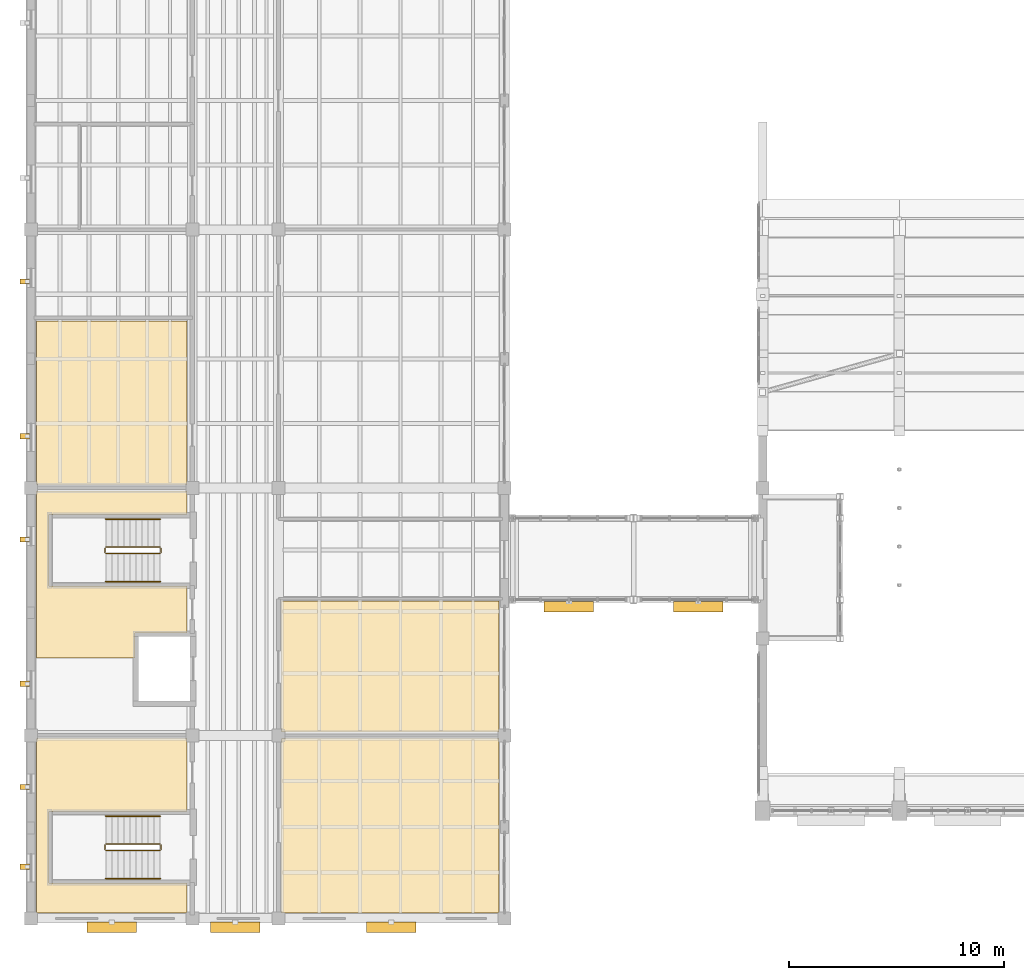
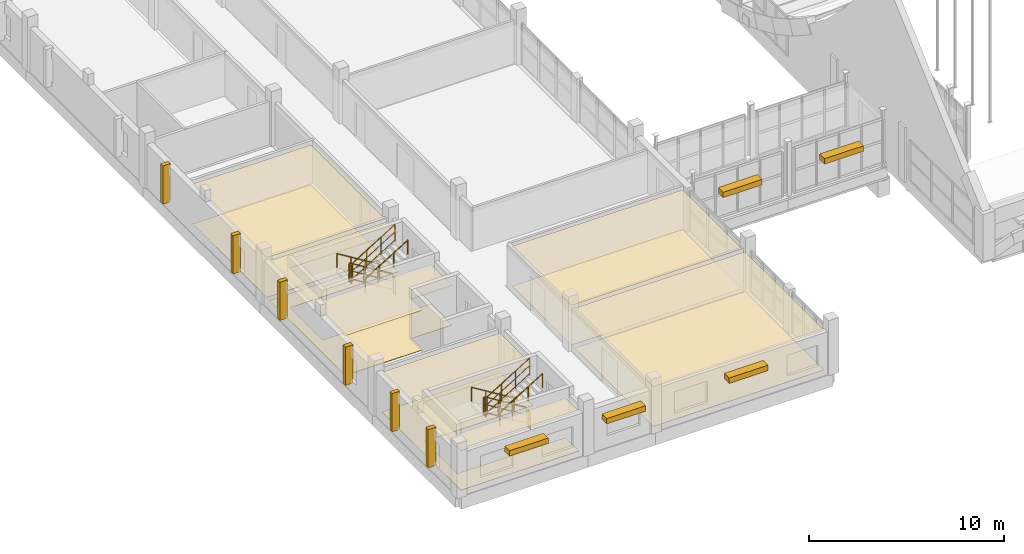
# One storey, part 72 of 77: 12 railings, 11 shading devices, 10 coverings.
"""IFC4 building model written with IfcOpenShell, lengths in metres."""

import ifcopenshell
import ifcopenshell.guid

model = None  # the IFC model being written
_history = None  # IfcOwnerHistory: only IFC2X3 demands one
_inside = {}  # id of a spatial element -> (the spatial element, [elements in it])
_under = {}  # id of a project, library or spatial element -> (it, [spatial elements below it])
_declared = {}  # id of a project -> (the project, [libraries it declares])
_typed = {}  # id of a type object -> (the type object, [elements of that type])
_made_of = {}  # id of a material, layer set ... -> (it, [elements and type objects made of it])


def new_model(schema):
    """Start an empty IFC model of exactly this schema.

    Asked for "IFC4X3", IfcOpenShell would pick the latest addendum, in which some entities
    have other attributes; the version numbers below select the first issue.
    IFC2X3 requires an IfcOwnerHistory on every rooted entity: one is made here for all.
    """
    global model, _history
    if schema == "IFC4X3":
        model = ifcopenshell.file(schema_version=(4, 3, 0, 0))
    else:
        model = ifcopenshell.file(schema=schema)
    _inside.clear()
    _under.clear()
    _declared.clear()
    _typed.clear()
    _made_of.clear()
    _history = None
    if model.schema == "IFC2X3":
        org = make("IfcOrganization", Name="unknown")
        user = make(
            "IfcPersonAndOrganization",
            ThePerson=make("IfcPerson", FamilyName="unknown"),
            TheOrganization=org,
        )
        app = make(
            "IfcApplication",
            ApplicationDeveloper=org,
            Version="unknown",
            ApplicationFullName="unknown",
            ApplicationIdentifier="unknown",
        )
        _history = make(
            "IfcOwnerHistory",
            OwningUser=user,
            OwningApplication=app,
            ChangeAction="ADDED",
            CreationDate=0,
        )
    return model


def make(cls, **values):
    """One entity of the class cls with the attributes given. An attribute that is None is left unset."""
    return model.create_entity(
        cls, **{name: value for name, value in values.items() if value is not None}
    )


def rooted(cls, **values):
    """An entity with a GlobalId (a new one), such as an element, a storey or a relation."""
    return make(cls, GlobalId=ifcopenshell.guid.new(), OwnerHistory=_history, **values)


def si_unit(unit_type, name, prefix=None):
    """IfcSIUnit, for example si_unit("LENGTHUNIT", "METRE", prefix="MILLI")."""
    return make("IfcSIUnit", UnitType=unit_type, Prefix=prefix, Name=name)


def assignment(units):
    """IfcUnitAssignment: the units of a project."""
    return None if units is None else make("IfcUnitAssignment", Units=units)


def point(xyz):
    """IfcCartesianPoint."""
    return None if xyz is None else make("IfcCartesianPoint", Coordinates=xyz)


def direction(xyz):
    """IfcDirection."""
    return None if xyz is None else make("IfcDirection", DirectionRatios=xyz)


def frame(location, z_axis=None, x_axis=None):
    """IfcAxis2Placement3D, a coordinate frame: its origin and axes. An axis left out is left unset."""
    return make(
        "IfcAxis2Placement3D",
        Location=point(location),
        Axis=direction(z_axis),
        RefDirection=direction(x_axis),
    )


def frame_2d(location, x_axis=None):
    """IfcAxis2Placement2D, a coordinate frame in the plane: its origin and x axis."""
    return make(
        "IfcAxis2Placement2D", Location=point(location), RefDirection=direction(x_axis)
    )


def origin():
    """The frame at (0, 0, 0) with its axes left unset."""
    return frame((0.0, 0.0, 0.0))


def origin_2d():
    """The frame at (0, 0) in the plane with its x axis left unset."""
    return frame_2d((0.0, 0.0))


def place(relative_to, where):
    """IfcLocalPlacement: puts the frame where relative to a parent placement (None: the world)."""
    return make(
        "IfcLocalPlacement", PlacementRelTo=relative_to, RelativePlacement=where
    )


def context(
    kind, dimensions, precision=None, world=None, true_north=None, identifier=None
):
    """IfcGeometricRepresentationContext, for example the 3D "Model" context."""
    return make(
        "IfcGeometricRepresentationContext",
        ContextIdentifier=identifier,
        ContextType=kind,
        CoordinateSpaceDimension=dimensions,
        Precision=precision,
        WorldCoordinateSystem=world,
        TrueNorth=true_north,
    )


def subcontext(parent, identifier, kind, view, scale=None):
    """IfcGeometricRepresentationSubContext, for example "Body" below "Model"."""
    return make(
        "IfcGeometricRepresentationSubContext",
        ContextIdentifier=identifier,
        ContextType=kind,
        ParentContext=parent,
        TargetScale=scale,
        TargetView=view,
    )


def project(units=None, contexts=None):
    """IfcProject with its units and contexts."""
    return rooted(
        "IfcProject",
        Name="project",
        RepresentationContexts=contexts,
        UnitsInContext=assignment(units),
    )


def spatial(cls, under=None, at=None, **own):
    """A site, building, storey or space (cls), placed at a placement, below another one or the project."""
    s = rooted(cls, ObjectPlacement=at, **own)
    if under is not None:
        _under.setdefault(under.id(), (under, []))[1].append(s)
    return s


def polyline(points):
    """IfcPolyline through the points."""
    return make("IfcPolyline", Points=[point(p) for p in points])


def profile(cls, at=None, kind="AREA", **sizes):
    """A parametric profile (cls). Its sizes go by their IFC names, for example OverallWidth=200.0."""
    return make(cls, ProfileType=kind, Position=at, **sizes)


def rectangle(**sizes):
    """IfcRectangleProfileDef."""
    return profile("IfcRectangleProfileDef", **sizes)


def circle(**sizes):
    """IfcCircleProfileDef."""
    return profile("IfcCircleProfileDef", **sizes)


def outline(outer, holes=None, kind="AREA"):
    """IfcArbitraryClosedProfileDef: a profile drawn as a closed curve; with holes, ...WithVoids."""
    if holes is None:
        return make("IfcArbitraryClosedProfileDef", ProfileType=kind, OuterCurve=outer)
    return make(
        "IfcArbitraryProfileDefWithVoids",
        ProfileType=kind,
        OuterCurve=outer,
        InnerCurves=holes,
    )


def extrude(swept, where, along, depth):
    """IfcExtrudedAreaSolid: the profile swept, set in the frame where, extruded along a direction by depth."""
    return make(
        "IfcExtrudedAreaSolid",
        SweptArea=swept,
        Position=where,
        ExtrudedDirection=direction(along),
        Depth=depth,
    )


def shape(context_of_items, identifier, shape_type, items):
    """IfcShapeRepresentation: the items that make up one representation, for example the "Body"."""
    return make(
        "IfcShapeRepresentation",
        ContextOfItems=context_of_items,
        RepresentationIdentifier=identifier,
        RepresentationType=shape_type,
        Items=items,
    )


def material(Name=None, Category=None):
    """IfcMaterial."""
    return make("IfcMaterial", Name=Name, Category=Category)


def layer(
    of_material, thickness, ventilated=None, Name=None, Category=None, Priority=None
):
    """IfcMaterialLayer: one layer of a wall or slab, of a material (None: an air gap)."""
    return make(
        "IfcMaterialLayer",
        Material=of_material,
        LayerThickness=thickness,
        IsVentilated=ventilated,
        Name=Name,
        Category=Category,
        Priority=Priority,
    )


def layer_set(layers, Name=None):
    """IfcMaterialLayerSet."""
    return make("IfcMaterialLayerSet", MaterialLayers=layers, LayerSetName=Name)


def made_of(thing, what):
    """Note that an element or type object is made of a material, layer set ...; save() writes the relation."""
    if what is not None:
        _made_of.setdefault(what.id(), (what, []))[1].append(thing)
    return thing


def type_object(cls, material=None, **own):
    """A type object (cls), such as IfcWallType, which elements share."""
    return made_of(rooted(cls, **own), material)


def element(
    cls,
    number,
    at=None,
    inside=None,
    cuts=None,
    type_object=None,
    material=None,
    context=None,
    identifier="Body",
    shape_type=None,
    held_by="IfcProductDefinitionShape",
    body=None,
    shapes=None,
    **own,
):
    """One element of the class cls, such as IfcWall. Its Tag is "e" and its number.

    at: its placement. inside: the storey or other place that contains it. cuts: it is an
    opening in that element (IfcRelVoidsElement). A single representation is given by context,
    identifier, shape_type and body (its items); several are given by shapes. held_by: the class
    of the entity that holds the representations. save() writes the other relations.
    """
    e = rooted(cls, Tag="e%d" % number, ObjectPlacement=at, **own)
    if body is not None:
        shapes = [shape(context, identifier, shape_type, body)]
    if shapes is not None:
        e.Representation = make(held_by, Representations=shapes)
    if inside is not None:
        _inside.setdefault(inside.id(), (inside, []))[1].append(e)
    if cuts is not None:
        rooted(
            "IfcRelVoidsElement", RelatingBuildingElement=cuts, RelatedOpeningElement=e
        )
    if type_object is not None:
        _typed.setdefault(type_object.id(), (type_object, []))[1].append(e)
    return made_of(e, material)


def aggregate(whole, parts):
    """IfcRelAggregates: a whole, such as a stair, and the parts it consists of."""
    return rooted("IfcRelAggregates", RelatingObject=whole, RelatedObjects=parts)


def save(model, path):
    """Write the relations noted so far, then the file.

    IfcRelAggregates (storeys below a building ...), IfcRelContainedInSpatialStructure (elements
    in a storey), IfcRelDefinesByType, IfcRelAssociatesMaterial and IfcRelDeclares: one each for
    every whole, place, type object, material and project.
    """
    for whole, parts in _under.values():
        aggregate(whole, parts)
    for where, things in _inside.values():
        rooted(
            "IfcRelContainedInSpatialStructure",
            RelatedElements=things,
            RelatingStructure=where,
        )
    for kind, things in _typed.values():
        rooted("IfcRelDefinesByType", RelatedObjects=things, RelatingType=kind)
    for what, things in _made_of.values():
        rooted("IfcRelAssociatesMaterial", RelatedObjects=things, RelatingMaterial=what)
    for by, libraries in _declared.values():
        rooted("IfcRelDeclares", RelatingContext=by, RelatedDefinitions=libraries)
    model.write(path)


model = new_model("IFC4")

# Units and contexts
model_context = context("Model", 3, precision=1e-05, world=origin(), true_north=direction((0.0, 1.0)))
body_context = subcontext(model_context, "Body", "Model", "MODEL_VIEW")
ifc_project = project(units=[si_unit("LENGTHUNIT", "METRE"), si_unit("AREAUNIT", "SQUARE_METRE"), si_unit("VOLUMEUNIT", "CUBIC_METRE"), si_unit("PLANEANGLEUNIT", "RADIAN"), si_unit("MASSUNIT", "GRAM", prefix="KILO")], contexts=[model_context])

# Site, building, storey
site_placement = place(None, origin())
site = spatial("IfcSite", under=ifc_project, at=site_placement, CompositionType="ELEMENT")
building_placement = place(site_placement, origin())
building = spatial("IfcBuilding", under=site, at=building_placement, Name="Trellovar Central Fire Station", CompositionType="ELEMENT")
storey_placement = place(building_placement, frame((0.0, 0.0, 5.85009765625)))
storey = spatial("IfcBuildingStorey", under=building, at=storey_placement, Name="L02", CompositionType="ELEMENT", Elevation=5.85009765625)

# Coverings
ifc_material_1 = material(Name="Perforated acoustic mineral fiber ceiling tile", Category="mineral")
ifc_layer_1 = layer(ifc_material_1, 0.02490234375)
ifc_layer_set_1 = layer_set([ifc_layer_1], Name="Perforated acoustic mineral fiber ceiling tile")
covering_type_1 = type_object("IfcCoveringType", Name="COV-CLG1", PredefinedType="CEILING", material=ifc_layer_set_1)
covering_1_placement = place(storey_placement, frame((0.0, 0.0, 2.47998046875)))
element("IfcCovering", 1, at=covering_1_placement, inside=storey, type_object=covering_type_1, Name="Station Commercial Teaching Kitchen suspended ceiling", PredefinedType="CEILING", context=body_context, shape_type="SweptSolid", body=[
    extrude(outline(polyline([(22.75, 17.35009765625), (22.75, 9.25), (12.64990234375, 9.25), (12.64990234375, 17.35009765625), (22.75, 17.35009765625)])), origin(), (0.0, 0.0, 1.0), 0.02490234375),
])
covering_2_placement = place(storey_placement, frame((0.0, 0.0, 2.47998046875)))
element("IfcCovering", 2, at=covering_2_placement, inside=storey, type_object=covering_type_1, Name="Pantry and Cold Dry Provision Store suspended ceiling", PredefinedType="CEILING", context=body_context, shape_type="SweptSolid", body=[
    extrude(outline(polyline([(8.25, 10.639892578125), (8.25, 9.25), (1.25, 9.25), (1.25, 17.35009765625), (8.25, 17.35009765625), (8.25, 13.9599609375), (1.840087890625, 13.9599609375), (1.840087890625, 10.639892578125), (8.25, 10.639892578125)])), origin(), (0.0, 0.0, 1.0), 0.02490234375),
])
covering_3_placement = place(storey_placement, frame((0.0, 0.0, 2.47998046875)))
element("IfcCovering", 3, at=covering_3_placement, inside=storey, type_object=covering_type_1, Name="Firefighter Dining Mess Hall suspended ceiling", PredefinedType="CEILING", context=body_context, shape_type="SweptSolid", body=[
    extrude(outline(polyline([(22.75, 23.75), (22.75, 17.64990234375), (12.64990234375, 17.64990234375), (12.64990234375, 23.75), (22.75, 23.75)])), origin(), (0.0, 0.0, 1.0), 0.02490234375),
])
covering_4_placement = place(storey_placement, frame((0.0, 0.0, 2.47998046875)))
element("IfcCovering", 4, at=covering_4_placement, inside=storey, type_object=covering_type_1, Name="Peer Support Quiet Study Room suspended ceiling", PredefinedType="CEILING", context=body_context, shape_type="SweptSolid", body=[
    extrude(outline(polyline([(8.25, 28.85009765625), (8.25, 27.760009765625), (1.840087890625, 27.760009765625), (1.840087890625, 24.43994140625), (8.25, 24.43994140625), (8.25, 22.260009765625), (5.840087890625, 22.260009765625), (5.840087890625, 21.10009765625), (1.25, 21.10009765625), (1.25, 28.85009765625), (8.25, 28.85009765625)])), origin(), (0.0, 0.0, 1.0), 0.02490234375),
])
covering_5_placement = place(storey_placement, frame((0.0, 0.0, 2.47998046875)))
element("IfcCovering", 5, at=covering_5_placement, inside=storey, type_object=covering_type_1, Name="Shift Commander Duty Office suspended ceiling", PredefinedType="CEILING", context=body_context, shape_type="SweptSolid", body=[
    extrude(outline(polyline([(8.25, 36.75), (8.25, 29.14990234375), (1.25, 29.14990234375), (1.25, 36.75), (8.25, 36.75)])), origin(), (0.0, 0.0, 1.0), 0.02490234375),
])
ifc_material_2 = material(Name="Vitrified Catalan ceramic floor tile", Category="masonry")
ifc_layer_2 = layer(ifc_material_2, 0.01806640625)
ifc_layer_set_2 = layer_set([ifc_layer_2], Name="Vitrified Catalan ceramic floor tile")
covering_type_2 = type_object("IfcCoveringType", Name="COV-FLR2", PredefinedType="FLOORING", material=ifc_layer_set_2)
covering_6_placement = place(storey_placement, origin())
element("IfcCovering", 6, at=covering_6_placement, inside=storey, type_object=covering_type_2, Name="Station Commercial Teaching Kitchen floor finish", PredefinedType="FLOORING", context=body_context, shape_type="SweptSolid", body=[
    extrude(outline(polyline([(22.75, 17.35009765625), (22.75, 9.25), (12.64990234375, 9.25), (12.64990234375, 17.35009765625), (22.75, 17.35009765625)])), origin(), (0.0, 0.0, 1.0), 0.017822265625),
])
covering_7_placement = place(storey_placement, origin())
element("IfcCovering", 7, at=covering_7_placement, inside=storey, type_object=covering_type_2, Name="Pantry and Cold Dry Provision Store floor finish", PredefinedType="FLOORING", context=body_context, shape_type="SweptSolid", body=[
    extrude(outline(polyline([(8.25, 10.639892578125), (8.25, 9.25), (1.25, 9.25), (1.25, 17.35009765625), (8.25, 17.35009765625), (8.25, 13.9599609375), (1.840087890625, 13.9599609375), (1.840087890625, 10.639892578125), (8.25, 10.639892578125)])), origin(), (0.0, 0.0, 1.0), 0.017822265625),
])
covering_8_placement = place(storey_placement, origin())
element("IfcCovering", 8, at=covering_8_placement, inside=storey, type_object=covering_type_2, Name="Firefighter Dining Mess Hall floor finish", PredefinedType="FLOORING", context=body_context, shape_type="SweptSolid", body=[
    extrude(outline(polyline([(22.75, 23.75), (22.75, 17.64990234375), (12.64990234375, 17.64990234375), (12.64990234375, 23.75), (22.75, 23.75)])), origin(), (0.0, 0.0, 1.0), 0.017822265625),
])
covering_9_placement = place(storey_placement, origin())
element("IfcCovering", 9, at=covering_9_placement, inside=storey, type_object=covering_type_2, Name="Peer Support Quiet Study Room floor finish", PredefinedType="FLOORING", context=body_context, shape_type="SweptSolid", body=[
    extrude(outline(polyline([(8.25, 28.85009765625), (8.25, 27.760009765625), (1.840087890625, 27.760009765625), (1.840087890625, 24.43994140625), (8.25, 24.43994140625), (8.25, 22.260009765625), (5.840087890625, 22.260009765625), (5.840087890625, 21.10009765625), (1.25, 21.10009765625), (1.25, 28.85009765625), (8.25, 28.85009765625)])), origin(), (0.0, 0.0, 1.0), 0.017822265625),
])
covering_10_placement = place(storey_placement, origin())
element("IfcCovering", 10, at=covering_10_placement, inside=storey, type_object=covering_type_2, Name="Shift Commander Duty Office floor finish", PredefinedType="FLOORING", context=body_context, shape_type="SweptSolid", body=[
    extrude(outline(polyline([(8.25, 36.75), (8.25, 29.14990234375), (1.25, 29.14990234375), (1.25, 36.75), (8.25, 36.75)])), origin(), (0.0, 0.0, 1.0), 0.017822265625),
])

# Railings
ifc_material_3 = material(Name="Patina bronze wrought metalwork", Category="metal")
ifc_layer_3 = layer(ifc_material_3, 0.048095703125)
ifc_layer_set_3 = layer_set([ifc_layer_3], Name="Patina bronze wrought metalwork")
railing_type_1 = type_object("IfcRailingType", Name="RL-STAIR", PredefinedType="HANDRAIL", material=ifc_layer_set_3)
railing_1_placement = place(storey_placement, frame((7.0, 13.75, 0.17236328125)))
element("IfcRailing", 11, at=railing_1_placement, inside=storey, type_object=railing_type_1, Name="L02 ST-03 stair handrail 1", PredefinedType="HANDRAIL", context=body_context, shape_type="SweptSolid", body=[
    extrude(circle(Radius=0.02392578125, at=origin_2d()), frame((0.0, 0.0, 0.8759765625), z_axis=(-0.851400495292, 0.0, 0.524516154772), x_axis=(0.0, -1.0, 0.0)), (0.0, 0.0, 1.0), 2.9599609375),
    extrude(circle(Radius=0.02099609375, at=origin_2d()), origin(), (0.0, 0.0, 1.0), 0.851806640625),
    extrude(circle(Radius=0.02099609375, at=origin_2d()), frame((-0.840087890625, 0.0, 0.517578125)), (0.0, 0.0, 1.0), 0.851806640625),
    extrude(circle(Radius=0.02099609375, at=origin_2d()), frame((-1.679931640625, 0.0, 1.034912109375)), (0.0, 0.0, 1.0), 0.851806640625),
    extrude(circle(Radius=0.02099609375, at=origin_2d()), frame((-2.52001953125, 0.0, 1.552490234375)), (0.0, 0.0, 1.0), 0.851806640625),
])
railing_2_placement = place(storey_placement, frame((4.47998046875, 10.85009765625, 1.8974609375)))
element("IfcRailing", 12, at=railing_2_placement, inside=storey, type_object=railing_type_1, Name="L02 ST-03 stair handrail 2", PredefinedType="HANDRAIL", context=body_context, shape_type="SweptSolid", body=[
    extrude(circle(Radius=0.02392578125, at=origin_2d()), frame((0.0, 0.0, 0.8759765625), z_axis=(0.851400495292, 0.0, 0.524516154772), x_axis=(0.0, 1.0, 0.0)), (0.0, 0.0, 1.0), 2.9599609375),
    extrude(circle(Radius=0.02099609375, at=origin_2d()), origin(), (0.0, 0.0, 1.0), 0.851806640625),
    extrude(circle(Radius=0.02099609375, at=origin_2d()), frame((0.840087890625, 0.0, 0.517578125)), (0.0, 0.0, 1.0), 0.851806640625),
    extrude(circle(Radius=0.02099609375, at=origin_2d()), frame((1.679931640625, 0.0, 1.034912109375)), (0.0, 0.0, 1.0), 0.851806640625),
    extrude(circle(Radius=0.02099609375, at=origin_2d()), frame((2.52001953125, 0.0, 1.552490234375)), (0.0, 0.0, 1.0), 0.851806640625),
])
railing_3_placement = place(storey_placement, frame((7.0, 27.550048828125, 0.17236328125)))
element("IfcRailing", 13, at=railing_3_placement, inside=storey, type_object=railing_type_1, Name="L02 ST-04 stair handrail 1", PredefinedType="HANDRAIL", context=body_context, shape_type="SweptSolid", body=[
    extrude(circle(Radius=0.02392578125, at=origin_2d()), frame((0.0, 0.0, 0.8759765625), z_axis=(-0.851400495292, 0.0, 0.524516154772), x_axis=(0.0, -1.0, 0.0)), (0.0, 0.0, 1.0), 2.9599609375),
    extrude(circle(Radius=0.02099609375, at=origin_2d()), origin(), (0.0, 0.0, 1.0), 0.851806640625),
    extrude(circle(Radius=0.02099609375, at=origin_2d()), frame((-0.840087890625, 0.0, 0.517578125)), (0.0, 0.0, 1.0), 0.851806640625),
    extrude(circle(Radius=0.02099609375, at=origin_2d()), frame((-1.679931640625, 0.0, 1.034912109375)), (0.0, 0.0, 1.0), 0.851806640625),
    extrude(circle(Radius=0.02099609375, at=origin_2d()), frame((-2.52001953125, 0.0, 1.552490234375)), (0.0, 0.0, 1.0), 0.851806640625),
])
railing_4_placement = place(storey_placement, frame((4.47998046875, 24.64990234375, 1.8974609375)))
element("IfcRailing", 14, at=railing_4_placement, inside=storey, type_object=railing_type_1, Name="L02 ST-04 stair handrail 2", PredefinedType="HANDRAIL", context=body_context, shape_type="SweptSolid", body=[
    extrude(circle(Radius=0.02392578125, at=origin_2d()), frame((0.0, 0.0, 0.8759765625), z_axis=(0.851400495292, 0.0, 0.524516154772), x_axis=(0.0, 1.0, 0.0)), (0.0, 0.0, 1.0), 2.9599609375),
    extrude(circle(Radius=0.02099609375, at=origin_2d()), origin(), (0.0, 0.0, 1.0), 0.851806640625),
    extrude(circle(Radius=0.02099609375, at=origin_2d()), frame((0.840087890625, 0.0, 0.517578125)), (0.0, 0.0, 1.0), 0.851806640625),
    extrude(circle(Radius=0.02099609375, at=origin_2d()), frame((1.679931640625, 0.0, 1.034912109375)), (0.0, 0.0, 1.0), 0.851806640625),
    extrude(circle(Radius=0.02099609375, at=origin_2d()), frame((2.52001953125, 0.0, 1.552490234375)), (0.0, 0.0, 1.0), 0.851806640625),
])
ifc_material_4 = material(Name="Patina bronze wrought metalwork", Category="metal")
ifc_layer_4 = layer(ifc_material_4, 0.050048828125)
ifc_layer_set_4 = layer_set([ifc_layer_4], Name="Patina bronze wrought metalwork")
railing_type_2 = type_object("IfcRailingType", Name="RL-STGUARD", PredefinedType="GUARDRAIL", material=ifc_layer_set_4)
railing_5_placement = place(storey_placement, frame((7.0, 12.449951171875, 0.17236328125)))
element("IfcRailing", 15, at=railing_5_placement, inside=storey, type_object=railing_type_2, Name="L02 ST-03 stair guard 1", PredefinedType="GUARDRAIL", context=body_context, shape_type="SweptSolid", body=[
    extrude(circle(Radius=0.02392578125, at=origin_2d()), frame((0.0, 0.0, 1.076171875), z_axis=(-0.851400495292, 0.0, 0.524516154772), x_axis=(0.0, -1.0, 0.0)), (0.0, 0.0, 1.0), 2.9599609375),
    extrude(circle(Radius=0.015625, at=origin_2d()), frame((0.0, 0.0, 0.10009765625), z_axis=(-0.851400495292, 0.0, 0.524516154772), x_axis=(0.0, -1.0, 0.0)), (0.0, 0.0, 1.0), 2.9599609375),
    extrude(circle(Radius=0.015625, at=origin_2d()), frame((0.0, 0.0, 0.60498046875), z_axis=(-0.851400495292, 0.0, 0.524516154772), x_axis=(0.0, -1.0, 0.0)), (0.0, 0.0, 1.0), 2.9599609375),
    extrude(circle(Radius=0.02099609375, at=origin_2d()), origin(), (0.0, 0.0, 1.0), 1.052001953125),
    extrude(circle(Radius=0.02099609375, at=origin_2d()), frame((-0.840087890625, 0.0, 0.517578125)), (0.0, 0.0, 1.0), 1.052001953125),
    extrude(circle(Radius=0.02099609375, at=origin_2d()), frame((-1.679931640625, 0.0, 1.034912109375)), (0.0, 0.0, 1.0), 1.052001953125),
    extrude(circle(Radius=0.02099609375, at=origin_2d()), frame((-2.52001953125, 0.0, 1.552490234375)), (0.0, 0.0, 1.0), 1.052001953125),
])
railing_6_placement = place(storey_placement, frame((4.429931640625, 12.39990234375, 1.724853515625)))
element("IfcRailing", 16, at=railing_6_placement, inside=storey, type_object=railing_type_2, Name="L02 ST-03 stair guard 2", PredefinedType="GUARDRAIL", context=body_context, shape_type="SweptSolid", body=[
    extrude(circle(Radius=0.02392578125, at=origin_2d()), frame((0.0, 0.0, 1.076171875), z_axis=(0.0, -1.0, 0.0), x_axis=(1.0, 0.0, 0.0)), (0.0, 0.0, 1.0), 0.199951171875),
    extrude(circle(Radius=0.015625, at=origin_2d()), frame((0.0, 0.0, 0.10009765625), z_axis=(0.0, -1.0, 0.0), x_axis=(1.0, 0.0, 0.0)), (0.0, 0.0, 1.0), 0.199951171875),
    extrude(circle(Radius=0.015625, at=origin_2d()), frame((0.0, 0.0, 0.60498046875), z_axis=(0.0, -1.0, 0.0), x_axis=(1.0, 0.0, 0.0)), (0.0, 0.0, 1.0), 0.199951171875),
    extrude(circle(Radius=0.02099609375, at=origin_2d()), origin(), (0.0, 0.0, 1.0), 1.052001953125),
    extrude(circle(Radius=0.02099609375, at=origin_2d()), frame((0.0, -0.199951171875, 0.0)), (0.0, 0.0, 1.0), 1.052001953125),
])
railing_7_placement = place(storey_placement, frame((4.47998046875, 12.14990234375, 1.8974609375)))
element("IfcRailing", 17, at=railing_7_placement, inside=storey, type_object=railing_type_2, Name="L02 ST-03 stair guard 3", PredefinedType="GUARDRAIL", context=body_context, shape_type="SweptSolid", body=[
    extrude(circle(Radius=0.02392578125, at=origin_2d()), frame((0.0, 0.0, 1.076171875), z_axis=(0.851400495292, 0.0, 0.524516154772), x_axis=(0.0, 1.0, 0.0)), (0.0, 0.0, 1.0), 2.9599609375),
    extrude(circle(Radius=0.015625, at=origin_2d()), frame((0.0, 0.0, 0.10009765625), z_axis=(0.851400495292, 0.0, 0.524516154772), x_axis=(0.0, 1.0, 0.0)), (0.0, 0.0, 1.0), 2.9599609375),
    extrude(circle(Radius=0.015625, at=origin_2d()), frame((0.0, 0.0, 0.60498046875), z_axis=(0.851400495292, 0.0, 0.524516154772), x_axis=(0.0, 1.0, 0.0)), (0.0, 0.0, 1.0), 2.9599609375),
    extrude(circle(Radius=0.02099609375, at=origin_2d()), origin(), (0.0, 0.0, 1.0), 1.052001953125),
    extrude(circle(Radius=0.02099609375, at=origin_2d()), frame((0.840087890625, 0.0, 0.517578125)), (0.0, 0.0, 1.0), 1.052001953125),
    extrude(circle(Radius=0.02099609375, at=origin_2d()), frame((1.679931640625, 0.0, 1.034912109375)), (0.0, 0.0, 1.0), 1.052001953125),
    extrude(circle(Radius=0.02099609375, at=origin_2d()), frame((2.52001953125, 0.0, 1.552490234375)), (0.0, 0.0, 1.0), 1.052001953125),
])
railing_8_placement = place(storey_placement, frame((7.050048828125, 12.39990234375, 0.0)))
element("IfcRailing", 18, at=railing_8_placement, inside=storey, type_object=railing_type_2, Name="L02 ST-03 stair guard 4", PredefinedType="GUARDRAIL", context=body_context, shape_type="SweptSolid", body=[
    extrude(circle(Radius=0.02392578125, at=origin_2d()), frame((0.0, 0.0, 1.076171875), z_axis=(0.0, -1.0, 0.0), x_axis=(1.0, 0.0, 0.0)), (0.0, 0.0, 1.0), 0.199951171875),
    extrude(circle(Radius=0.015625, at=origin_2d()), frame((0.0, 0.0, 0.10009765625), z_axis=(0.0, -1.0, 0.0), x_axis=(1.0, 0.0, 0.0)), (0.0, 0.0, 1.0), 0.199951171875),
    extrude(circle(Radius=0.015625, at=origin_2d()), frame((0.0, 0.0, 0.60498046875), z_axis=(0.0, -1.0, 0.0), x_axis=(1.0, 0.0, 0.0)), (0.0, 0.0, 1.0), 0.199951171875),
    extrude(circle(Radius=0.02099609375, at=origin_2d()), origin(), (0.0, 0.0, 1.0), 1.052001953125),
    extrude(circle(Radius=0.02099609375, at=origin_2d()), frame((0.0, -0.199951171875, 0.0)), (0.0, 0.0, 1.0), 1.052001953125),
])
railing_9_placement = place(storey_placement, frame((7.0, 26.25, 0.17236328125)))
element("IfcRailing", 19, at=railing_9_placement, inside=storey, type_object=railing_type_2, Name="L02 ST-04 stair guard 1", PredefinedType="GUARDRAIL", context=body_context, shape_type="SweptSolid", body=[
    extrude(circle(Radius=0.02392578125, at=origin_2d()), frame((0.0, 0.0, 1.076171875), z_axis=(-0.851400495292, 0.0, 0.524516154772), x_axis=(0.0, -1.0, 0.0)), (0.0, 0.0, 1.0), 2.9599609375),
    extrude(circle(Radius=0.015625, at=origin_2d()), frame((0.0, 0.0, 0.10009765625), z_axis=(-0.851400495292, 0.0, 0.524516154772), x_axis=(0.0, -1.0, 0.0)), (0.0, 0.0, 1.0), 2.9599609375),
    extrude(circle(Radius=0.015625, at=origin_2d()), frame((0.0, 0.0, 0.60498046875), z_axis=(-0.851400495292, 0.0, 0.524516154772), x_axis=(0.0, -1.0, 0.0)), (0.0, 0.0, 1.0), 2.9599609375),
    extrude(circle(Radius=0.02099609375, at=origin_2d()), origin(), (0.0, 0.0, 1.0), 1.052001953125),
    extrude(circle(Radius=0.02099609375, at=origin_2d()), frame((-0.840087890625, 0.0, 0.517578125)), (0.0, 0.0, 1.0), 1.052001953125),
    extrude(circle(Radius=0.02099609375, at=origin_2d()), frame((-1.679931640625, 0.0, 1.034912109375)), (0.0, 0.0, 1.0), 1.052001953125),
    extrude(circle(Radius=0.02099609375, at=origin_2d()), frame((-2.52001953125, 0.0, 1.552490234375)), (0.0, 0.0, 1.0), 1.052001953125),
])
railing_10_placement = place(storey_placement, frame((4.429931640625, 26.199951171875, 1.724853515625)))
element("IfcRailing", 20, at=railing_10_placement, inside=storey, type_object=railing_type_2, Name="L02 ST-04 stair guard 2", PredefinedType="GUARDRAIL", context=body_context, shape_type="SweptSolid", body=[
    extrude(circle(Radius=0.02392578125, at=origin_2d()), frame((0.0, 0.0, 1.076171875), z_axis=(0.0, -1.0, 0.0), x_axis=(1.0, 0.0, 0.0)), (0.0, 0.0, 1.0), 0.199951171875),
    extrude(circle(Radius=0.015625, at=origin_2d()), frame((0.0, 0.0, 0.10009765625), z_axis=(0.0, -1.0, 0.0), x_axis=(1.0, 0.0, 0.0)), (0.0, 0.0, 1.0), 0.199951171875),
    extrude(circle(Radius=0.015625, at=origin_2d()), frame((0.0, 0.0, 0.60498046875), z_axis=(0.0, -1.0, 0.0), x_axis=(1.0, 0.0, 0.0)), (0.0, 0.0, 1.0), 0.199951171875),
    extrude(circle(Radius=0.02099609375, at=origin_2d()), origin(), (0.0, 0.0, 1.0), 1.052001953125),
    extrude(circle(Radius=0.02099609375, at=origin_2d()), frame((0.0, -0.199951171875, 0.0)), (0.0, 0.0, 1.0), 1.052001953125),
])
railing_11_placement = place(storey_placement, frame((4.47998046875, 25.949951171875, 1.8974609375)))
element("IfcRailing", 21, at=railing_11_placement, inside=storey, type_object=railing_type_2, Name="L02 ST-04 stair guard 3", PredefinedType="GUARDRAIL", context=body_context, shape_type="SweptSolid", body=[
    extrude(circle(Radius=0.02392578125, at=origin_2d()), frame((0.0, 0.0, 1.076171875), z_axis=(0.851400495292, 0.0, 0.524516154772), x_axis=(0.0, 1.0, 0.0)), (0.0, 0.0, 1.0), 2.9599609375),
    extrude(circle(Radius=0.015625, at=origin_2d()), frame((0.0, 0.0, 0.10009765625), z_axis=(0.851400495292, 0.0, 0.524516154772), x_axis=(0.0, 1.0, 0.0)), (0.0, 0.0, 1.0), 2.9599609375),
    extrude(circle(Radius=0.015625, at=origin_2d()), frame((0.0, 0.0, 0.60498046875), z_axis=(0.851400495292, 0.0, 0.524516154772), x_axis=(0.0, 1.0, 0.0)), (0.0, 0.0, 1.0), 2.9599609375),
    extrude(circle(Radius=0.02099609375, at=origin_2d()), origin(), (0.0, 0.0, 1.0), 1.052001953125),
    extrude(circle(Radius=0.02099609375, at=origin_2d()), frame((0.840087890625, 0.0, 0.517578125)), (0.0, 0.0, 1.0), 1.052001953125),
    extrude(circle(Radius=0.02099609375, at=origin_2d()), frame((1.679931640625, 0.0, 1.034912109375)), (0.0, 0.0, 1.0), 1.052001953125),
    extrude(circle(Radius=0.02099609375, at=origin_2d()), frame((2.52001953125, 0.0, 1.552490234375)), (0.0, 0.0, 1.0), 1.052001953125),
])
railing_12_placement = place(storey_placement, frame((7.050048828125, 26.199951171875, 0.0)))
element("IfcRailing", 22, at=railing_12_placement, inside=storey, type_object=railing_type_2, Name="L02 ST-04 stair guard 4", PredefinedType="GUARDRAIL", context=body_context, shape_type="SweptSolid", body=[
    extrude(circle(Radius=0.02392578125, at=origin_2d()), frame((0.0, 0.0, 1.076171875), z_axis=(0.0, -1.0, 0.0), x_axis=(1.0, 0.0, 0.0)), (0.0, 0.0, 1.0), 0.199951171875),
    extrude(circle(Radius=0.015625, at=origin_2d()), frame((0.0, 0.0, 0.10009765625), z_axis=(0.0, -1.0, 0.0), x_axis=(1.0, 0.0, 0.0)), (0.0, 0.0, 1.0), 0.199951171875),
    extrude(circle(Radius=0.015625, at=origin_2d()), frame((0.0, 0.0, 0.60498046875), z_axis=(0.0, -1.0, 0.0), x_axis=(1.0, 0.0, 0.0)), (0.0, 0.0, 1.0), 0.199951171875),
    extrude(circle(Radius=0.02099609375, at=origin_2d()), origin(), (0.0, 0.0, 1.0), 1.052001953125),
    extrude(circle(Radius=0.02099609375, at=origin_2d()), frame((0.0, -0.199951171875, 0.0)), (0.0, 0.0, 1.0), 1.052001953125),
])

# Shading devices
ifc_material_5 = material(Name="Glazed ceramic trencadis and terracotta panel", Category="masonry")
shading_device_type_1 = type_object("IfcShadingDeviceType", Name="SHD-LV1", PredefinedType="JALOUSIE", material=ifc_material_5)
for number, where, z_axis, x_axis, name in (
    (23, (26.0, 23.485107421875, 1.580078125), (0.0, 0.0, 1.0), (1.0, 0.0, 0.0), "L02 Catalan solar brise-soleil LV-1"),
    (24, (32.0, 23.485107421875, 1.580078125), (0.0, 0.0, 1.0), (1.0, 0.0, 0.0), "L02 Catalan solar brise-soleil LV-1"),
    (25, (4.75, 8.5849609375, 1.8798828125), (0.0, 0.0, 1.0), (1.0, 0.0, 0.0), "L02 Catalan solar brise-soleil LV-1"),
    (26, (10.5, 8.5849609375, 1.8798828125), (0.0, 0.0, 1.0), (1.0, 0.0, 0.0), "L02 Catalan solar brise-soleil LV-1"),
    (27, (17.75, 8.5849609375, 1.8798828125), (0.0, 0.0, 1.0), (1.0, 0.0, 0.0), "L02 Catalan solar brise-soleil LV-1"),
):
    element("IfcShadingDevice", number, at=place(storey_placement, frame(where, z_axis=z_axis, x_axis=x_axis)), inside=storey, type_object=shading_device_type_1, Name=name, PredefinedType="JALOUSIE", context=body_context, shape_type="SweptSolid", body=[
        extrude(rectangle(XDim=2.300048828125, YDim=0.5, at=origin_2d()), origin(), (0.0, 0.0, 1.0), 0.340087890625),
    ])
ifc_material_6 = material(Name="Patina bronze wrought metalwork", Category="metal")
shading_device_type_2 = type_object("IfcShadingDeviceType", Name="SHD-LV2", PredefinedType="SHUTTER", material=ifc_material_6)
for number, where, z_axis, x_axis, name in (
    (28, (0.715087890625, 11.39990234375, 0.449951171875), (0.0, 0.0, 1.0), (1.0, 0.0, 0.0), "L02 Catalan solar brise-soleil LV-2"),
    (29, (0.715087890625, 15.10009765625, 0.449951171875), (0.0, 0.0, 1.0), (1.0, 0.0, 0.0), "L02 Catalan solar brise-soleil LV-2"),
    (30, (0.715087890625, 19.89990234375, 0.449951171875), (0.0, 0.0, 1.0), (1.0, 0.0, 0.0), "L02 Catalan solar brise-soleil LV-2"),
    (31, (0.715087890625, 26.60009765625, 0.449951171875), (0.0, 0.0, 1.0), (1.0, 0.0, 0.0), "L02 Catalan solar brise-soleil LV-2"),
    (32, (0.715087890625, 31.39990234375, 0.449951171875), (0.0, 0.0, 1.0), (1.0, 0.0, 0.0), "L02 Catalan solar brise-soleil LV-2"),
    (33, (0.715087890625, 38.60009765625, 0.449951171875), (0.0, 0.0, 1.0), (1.0, 0.0, 0.0), "L02 Catalan solar brise-soleil LV-2"),
):
    element("IfcShadingDevice", number, at=place(storey_placement, frame(where, z_axis=z_axis, x_axis=x_axis)), inside=storey, type_object=shading_device_type_2, Name=name, PredefinedType="SHUTTER", context=body_context, shape_type="SweptSolid", body=[
        extrude(rectangle(XDim=0.449951171875, YDim=0.239990234375, at=origin_2d()), origin(), (0.0, 0.0, 1.0), 2.39990234375),
    ])

save(model, "model.ifc")
